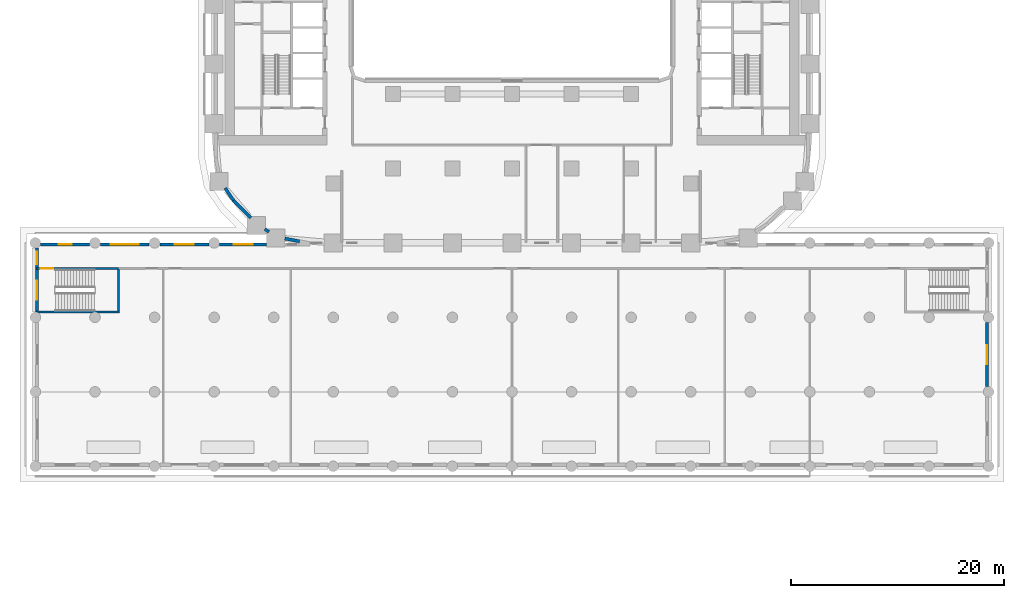
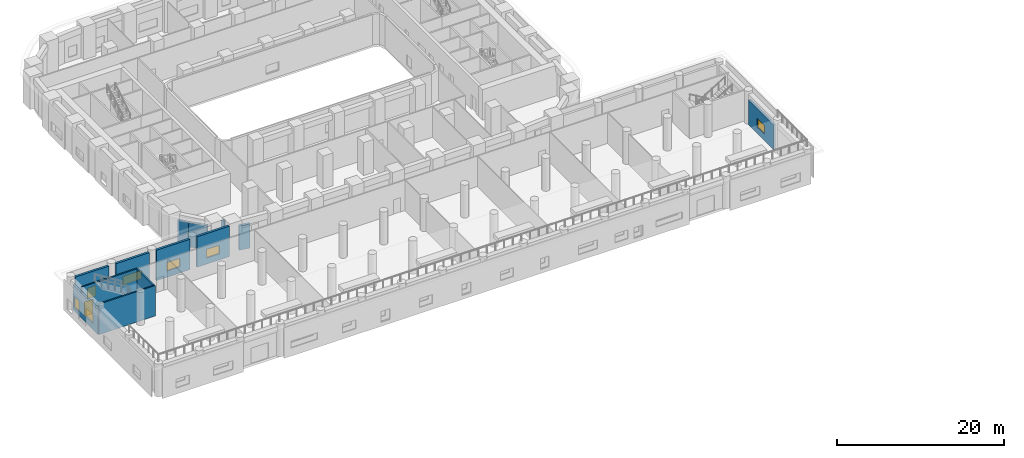
# One storey, part 7 of 23: 13 walls, 7 windows, 1 door, 8 openings.
"""IFC4 building model written with IfcOpenShell, lengths in metres."""

from ifc_helpers import new_model, si_unit, direction, frame, frame_2d, origin, place, context, subcontext, project, spatial, rectangle, extrude, material, layer, layer_set, type_object, element, fill, save


model = new_model("IFC4")

# Units and contexts
model_context = context("Model", 3, precision=1e-05, world=origin(), true_north=direction((0.0, 1.0)))
body_context = subcontext(model_context, "Body", "Model", "MODEL_VIEW")
ifc_project = project(units=[si_unit("LENGTHUNIT", "METRE"), si_unit("AREAUNIT", "SQUARE_METRE"), si_unit("VOLUMEUNIT", "CUBIC_METRE"), si_unit("PLANEANGLEUNIT", "RADIAN"), si_unit("MASSUNIT", "GRAM", prefix="KILO")], contexts=[model_context])

# Site, building, storey
site_placement = place(None, origin())
site = spatial("IfcSite", under=ifc_project, at=site_placement, CompositionType="ELEMENT")
building_placement = place(site_placement, origin())
building = spatial("IfcBuilding", under=site, at=building_placement, Name="Kiln Ring Residences", CompositionType="ELEMENT")
storey_placement = place(building_placement, frame((0.0, 0.0, 16.10009765625)))
storey = spatial("IfcBuildingStorey", under=building, at=storey_placement, Name="L03", CompositionType="ELEMENT", Elevation=16.10009765625)

# Wall, opening, window
ifc_material_1 = material(Name="Brick masonry, dark clay brick", Category="masonry")
ifc_layer_1 = layer(ifc_material_1, 0.300048828125)
ifc_layer_set_1 = layer_set([ifc_layer_1], Name="EW-300 BRICK WALL")
wall_type_1 = type_object("IfcWallType", Name="EW-300 BRICK WALL", PredefinedType="SOLIDWALL", material=ifc_layer_set_1)
wall_1_placement = place(storey_placement, frame((44.64990234375, -35.89990234375, 0.0), z_axis=(0.0, 0.0, 1.0), x_axis=(0.0, 1.0, 0.0)))
wall_1 = element("IfcWall", 1, at=wall_1_placement, inside=storey, type_object=wall_type_1, Name="Facade wall L03 2", PredefinedType="SOLIDWALL", context=body_context, shape_type="SweptSolid", body=[
    extrude(rectangle(XDim=6.0, YDim=0.300048828125, at=frame_2d((3.0, 0.0))), origin(), (0.0, 0.0, 1.0), 3.64990234375),
])
opening_1_placement = place(wall_1_placement, frame((2.10009765625, 0.0, 0.89990234375)))
opening_1 = element("IfcOpeningElement", 2, at=opening_1_placement, cuts=wall_1, Name="Opening W2", PredefinedType="OPENING", context=body_context, shape_type="SweptSolid", body=[
    extrude(rectangle(XDim=1.800048828125, YDim=1.25, at=frame_2d((0.89990234375, 0.625))), frame((0.0, 0.159912109375, 0.0), z_axis=(0.0, -1.0, 0.0), x_axis=(1.0, 0.0, 0.0)), (0.0, 0.0, 1.0), 0.320068359375),
])
ifc_material_2 = material(Name="Aluminium frame with double glazing", Category="aluminium")
window_type_1 = type_object("IfcWindowType", Name="WINDOW 1800 x 1250", PartitioningType="SINGLE_PANEL", PredefinedType="WINDOW", material=ifc_material_2)
window_1_placement = place(opening_1_placement, origin())
window_1 = element("IfcWindow", 3, at=window_1_placement, inside=storey, type_object=window_type_1, Name="Window L03 2", OverallHeight=1.25, OverallWidth=1.800048828125, PartitioningType="SINGLE_PANEL", PredefinedType="WINDOW", context=body_context, shape_type="SweptSolid", body=[
    extrude(rectangle(XDim=1.800048828125, YDim=1.25, at=frame_2d((0.89990234375, 0.625))), frame((0.0, 0.030029296875, 0.0), z_axis=(0.0, -1.0, 0.0), x_axis=(1.0, 0.0, 0.0)), (0.0, 0.0, 1.0), 0.06005859375),
])
fill(opening_1, window_1)

# Walls
wall_2_placement = place(storey_placement, frame((-26.96923828125, -17.249755859375, 0.0), z_axis=(0.0, 0.0, 1.0), x_axis=(0.562010802008, -0.827129892112, 0.0)))
element("IfcWall", 4, at=wall_2_placement, inside=storey, type_object=wall_type_1, Name="Facade wall L03 45", PredefinedType="SOLIDWALL", context=body_context, shape_type="SweptSolid", body=[
    extrude(rectangle(XDim=1.40625, YDim=0.300048828125, at=frame_2d((0.703125, 0.0))), origin(), (0.0, 0.0, 1.0), 3.5498046875),
])
wall_3_placement = place(storey_placement, frame((-26.19677734375, -18.390869140625, 0.0), z_axis=(0.0, 0.0, 1.0), x_axis=(0.707054835785, -0.707158722772, 0.0)))
element("IfcWall", 5, at=wall_3_placement, inside=storey, type_object=wall_type_1, Name="Facade wall L03 46", PredefinedType="SOLIDWALL", context=body_context, shape_type="SweptSolid", body=[
    extrude(rectangle(XDim=2.35009765625, YDim=0.300048828125, at=frame_2d((1.175048828125, 0.0))), origin(), (0.0, 0.0, 1.0), 3.5498046875),
])
wall_4_placement = place(storey_placement, frame((-23.244384765625, -21.10107421875, 0.0), z_axis=(0.0, 0.0, 1.0), x_axis=(0.827135885329, -0.562001981492, 0.0)))
element("IfcWall", 6, at=wall_4_placement, inside=storey, type_object=wall_type_1, Name="Facade wall L03 47", PredefinedType="SOLIDWALL", context=body_context, shape_type="SweptSolid", body=[
    extrude(rectangle(XDim=0.47705078125, YDim=0.300048828125, at=frame_2d((0.238525390625, 0.0))), origin(), (0.0, 0.0, 1.0), 4.449951171875),
])
wall_5_placement = place(storey_placement, frame((-21.35302734375, -21.9892578125, 0.0), z_axis=(0.0, 0.0, 1.0), x_axis=(0.98229142023, -0.187359455971, 0.0)))
element("IfcWall", 7, at=wall_5_placement, inside=storey, type_object=wall_type_1, Name="Facade wall L03 48", PredefinedType="SOLIDWALL", context=body_context, shape_type="SweptSolid", body=[
    extrude(rectangle(XDim=1.406005859375, YDim=0.300048828125, at=frame_2d((0.703125, 0.0))), origin(), (0.0, 0.0, 1.0), 3.5498046875),
])

# Wall, opening, window
wall_6_placement = place(storey_placement, frame((-23.05859375, -22.550048828125, 0.0), z_axis=(0.0, 0.0, 1.0), x_axis=(-1.0, 0.0, 0.0)))
wall_6 = element("IfcWall", 8, at=wall_6_placement, inside=storey, type_object=wall_type_1, Name="Facade wall L03 50", PredefinedType="SOLIDWALL", context=body_context, shape_type="SweptSolid", body=[
    extrude(rectangle(XDim=4.44140625, YDim=0.300048828125, at=frame_2d((2.220703125, 0.0))), origin(), (0.0, 0.0, 1.0), 4.449951171875),
])
opening_2_placement = place(wall_6_placement, frame((1.320556640625, 0.0, 0.89990234375)))
opening_2 = element("IfcOpeningElement", 9, at=opening_2_placement, cuts=wall_6, Name="Opening W2", PredefinedType="OPENING", context=body_context, shape_type="SweptSolid", body=[
    extrude(rectangle(XDim=1.800048828125, YDim=1.25, at=frame_2d((0.89990234375, 0.625))), frame((0.0, 0.159912109375, 0.0), z_axis=(0.0, -1.0, 0.0), x_axis=(1.0, 0.0, 0.0)), (0.0, 0.0, 1.0), 0.320068359375),
])
window_2_placement = place(opening_2_placement, origin())
window_2 = element("IfcWindow", 10, at=window_2_placement, inside=storey, type_object=window_type_1, Name="Window L03 22", OverallHeight=1.25, OverallWidth=1.800048828125, PartitioningType="SINGLE_PANEL", PredefinedType="WINDOW", context=body_context, shape_type="SweptSolid", body=[
    extrude(rectangle(XDim=1.800048828125, YDim=1.25, at=frame_2d((0.89990234375, 0.625))), frame((0.0, 0.030029296875, 0.0), z_axis=(0.0, -1.0, 0.0), x_axis=(1.0, 0.0, 0.0)), (0.0, 0.0, 1.0), 0.06005859375),
])
fill(opening_2, window_2)

wall_7_placement = place(storey_placement, frame((-28.5, -22.550048828125, 0.0), z_axis=(0.0, 0.0, 1.0), x_axis=(-1.0, 0.0, 0.0)))
wall_7 = element("IfcWall", 11, at=wall_7_placement, inside=storey, type_object=wall_type_1, Name="Facade wall L03 51", PredefinedType="SOLIDWALL", context=body_context, shape_type="SweptSolid", body=[
    extrude(rectangle(XDim=4.60009765625, YDim=0.300048828125, at=frame_2d((2.300048828125, 0.0))), origin(), (0.0, 0.0, 1.0), 4.449951171875),
])
opening_3_placement = place(wall_7_placement, frame((1.39990234375, 0.0, 0.89990234375)))
opening_3 = element("IfcOpeningElement", 12, at=opening_3_placement, cuts=wall_7, Name="Opening W2", PredefinedType="OPENING", context=body_context, shape_type="SweptSolid", body=[
    extrude(rectangle(XDim=1.800048828125, YDim=1.25, at=frame_2d((0.89990234375, 0.625))), frame((0.0, 0.159912109375, 0.0), z_axis=(0.0, -1.0, 0.0), x_axis=(1.0, 0.0, 0.0)), (0.0, 0.0, 1.0), 0.320068359375),
])
window_3_placement = place(opening_3_placement, origin())
window_3 = element("IfcWindow", 13, at=window_3_placement, inside=storey, type_object=window_type_1, Name="Window L03 23", OverallHeight=1.25, OverallWidth=1.800048828125, PartitioningType="SINGLE_PANEL", PredefinedType="WINDOW", context=body_context, shape_type="SweptSolid", body=[
    extrude(rectangle(XDim=1.800048828125, YDim=1.25, at=frame_2d((0.89990234375, 0.625))), frame((0.0, 0.030029296875, 0.0), z_axis=(0.0, -1.0, 0.0), x_axis=(1.0, 0.0, 0.0)), (0.0, 0.0, 1.0), 0.06005859375),
])
fill(opening_3, window_3)

wall_8_placement = place(storey_placement, frame((-34.10009765625, -22.550048828125, 0.0), z_axis=(0.0, 0.0, 1.0), x_axis=(-1.0, 0.0, 0.0)))
wall_8 = element("IfcWall", 14, at=wall_8_placement, inside=storey, type_object=wall_type_1, Name="Facade wall L03 52", PredefinedType="SOLIDWALL", context=body_context, shape_type="SweptSolid", body=[
    extrude(rectangle(XDim=4.599853515625, YDim=0.300048828125, at=frame_2d((2.2998046875, 0.0))), origin(), (0.0, 0.0, 1.0), 4.449951171875),
])
opening_4_placement = place(wall_8_placement, frame((1.0, 0.0, 0.89990234375)))
opening_4 = element("IfcOpeningElement", 15, at=opening_4_placement, cuts=wall_8, Name="Opening W3", PredefinedType="OPENING", context=body_context, shape_type="SweptSolid", body=[
    extrude(rectangle(XDim=2.60009765625, YDim=1.25, at=frame_2d((1.300048828125, 0.625))), frame((0.0, 0.159912109375, 0.0), z_axis=(0.0, -1.0, 0.0), x_axis=(1.0, 0.0, 0.0)), (0.0, 0.0, 1.0), 0.320068359375),
])
ifc_material_3 = material(Name="Aluminium frame with double glazing", Category="aluminium")
window_type_2 = type_object("IfcWindowType", Name="WINDOW 2600 x 1250", PartitioningType="SINGLE_PANEL", PredefinedType="WINDOW", material=ifc_material_3)
window_4_placement = place(opening_4_placement, origin())
window_4 = element("IfcWindow", 16, at=window_4_placement, inside=storey, type_object=window_type_2, Name="Window L03 24", OverallHeight=1.25, OverallWidth=2.60009765625, PartitioningType="SINGLE_PANEL", PredefinedType="WINDOW", context=body_context, shape_type="SweptSolid", body=[
    extrude(rectangle(XDim=2.60009765625, YDim=1.25, at=frame_2d((1.300048828125, 0.625))), frame((0.0, 0.030029296875, 0.0), z_axis=(0.0, -1.0, 0.0), x_axis=(1.0, 0.0, 0.0)), (0.0, 0.0, 1.0), 0.06005859375),
])
fill(opening_4, window_4)

wall_9_placement = place(storey_placement, frame((-39.699951171875, -22.550048828125, 0.0), z_axis=(0.0, 0.0, 1.0), x_axis=(-1.0, 0.0, 0.0)))
wall_9 = element("IfcWall", 17, at=wall_9_placement, inside=storey, type_object=wall_type_1, Name="Facade wall L03 53", PredefinedType="SOLIDWALL", context=body_context, shape_type="SweptSolid", body=[
    extrude(rectangle(XDim=4.60009765625, YDim=0.300048828125, at=frame_2d((2.300048828125, 0.0))), origin(), (0.0, 0.0, 1.0), 4.449951171875),
])
opening_5_placement = place(wall_9_placement, frame((1.699951171875, 0.0, 0.60009765625)))
opening_5 = element("IfcOpeningElement", 18, at=opening_5_placement, cuts=wall_9, Name="Opening W1", PredefinedType="OPENING", context=body_context, shape_type="SweptSolid", body=[
    extrude(rectangle(XDim=1.199951171875, YDim=1.550048828125, at=frame_2d((0.60009765625, 0.77490234375))), frame((0.0, 0.159912109375, 0.0), z_axis=(0.0, -1.0, 0.0), x_axis=(1.0, 0.0, 0.0)), (0.0, 0.0, 1.0), 0.320068359375),
])
ifc_material_4 = material(Name="Aluminium frame with double glazing", Category="aluminium")
window_type_3 = type_object("IfcWindowType", Name="WINDOW 1200 x 1550", PartitioningType="SINGLE_PANEL", PredefinedType="WINDOW", material=ifc_material_4)
window_5_placement = place(opening_5_placement, origin())
window_5 = element("IfcWindow", 19, at=window_5_placement, inside=storey, type_object=window_type_3, Name="Window L03 25", OverallHeight=1.550048828125, OverallWidth=1.199951171875, PartitioningType="SINGLE_PANEL", PredefinedType="WINDOW", context=body_context, shape_type="SweptSolid", body=[
    extrude(rectangle(XDim=1.199951171875, YDim=1.550048828125, at=frame_2d((0.60009765625, 0.77490234375))), frame((0.0, 0.030029296875, 0.0), z_axis=(0.0, -1.0, 0.0), x_axis=(1.0, 0.0, 0.0)), (0.0, 0.0, 1.0), 0.06005859375),
])
fill(opening_5, window_5)

# Wall, openings, windows
wall_10_placement = place(storey_placement, frame((-44.64990234375, -22.89990234375, 0.0), z_axis=(0.0, 0.0, 1.0), x_axis=(0.0, -1.0, 0.0)))
wall_10 = element("IfcWall", 20, at=wall_10_placement, inside=storey, type_object=wall_type_1, Name="Facade wall L03 54", PredefinedType="SOLIDWALL", context=body_context, shape_type="SweptSolid", body=[
    extrude(rectangle(XDim=6.0, YDim=0.300048828125, at=frame_2d((3.0, 0.0))), origin(), (0.0, 0.0, 1.0), 3.64990234375),
])
opening_6_placement = place(wall_10_placement, frame((0.3125, 0.0, 0.60009765625)))
opening_6 = element("IfcOpeningElement", 21, at=opening_6_placement, cuts=wall_10, Name="Opening W1", PredefinedType="OPENING", context=body_context, shape_type="SweptSolid", body=[
    extrude(rectangle(XDim=1.199951171875, YDim=1.550048828125, at=frame_2d((0.60009765625, 0.77490234375))), frame((0.0, 0.159912109375, 0.0), z_axis=(0.0, -1.0, 0.0), x_axis=(1.0, 0.0, 0.0)), (0.0, 0.0, 1.0), 0.320068359375),
])
opening_7_placement = place(wall_10_placement, frame((3.050048828125, 0.0, 0.89990234375)))
opening_7 = element("IfcOpeningElement", 22, at=opening_7_placement, cuts=wall_10, Name="Opening W2", PredefinedType="OPENING", context=body_context, shape_type="SweptSolid", body=[
    extrude(rectangle(XDim=1.800048828125, YDim=1.25, at=frame_2d((0.89990234375, 0.625))), frame((0.0, 0.159912109375, 0.0), z_axis=(0.0, -1.0, 0.0), x_axis=(1.0, 0.0, 0.0)), (0.0, 0.0, 1.0), 0.320068359375),
])
window_6_placement = place(opening_6_placement, origin())
window_6 = element("IfcWindow", 23, at=window_6_placement, inside=storey, type_object=window_type_3, Name="Window L03 26", OverallHeight=1.550048828125, OverallWidth=1.199951171875, PartitioningType="SINGLE_PANEL", PredefinedType="WINDOW", context=body_context, shape_type="SweptSolid", body=[
    extrude(rectangle(XDim=1.199951171875, YDim=1.550048828125, at=frame_2d((0.60009765625, 0.77490234375))), frame((0.0, 0.030029296875, 0.0), z_axis=(0.0, -1.0, 0.0), x_axis=(1.0, 0.0, 0.0)), (0.0, 0.0, 1.0), 0.06005859375),
])
fill(opening_6, window_6)
window_7_placement = place(opening_7_placement, origin())
window_7 = element("IfcWindow", 24, at=window_7_placement, inside=storey, type_object=window_type_1, Name="Window L03 27", OverallHeight=1.25, OverallWidth=1.800048828125, PartitioningType="SINGLE_PANEL", PredefinedType="WINDOW", context=body_context, shape_type="SweptSolid", body=[
    extrude(rectangle(XDim=1.800048828125, YDim=1.25, at=frame_2d((0.89990234375, 0.625))), frame((0.0, 0.030029296875, 0.0), z_axis=(0.0, -1.0, 0.0), x_axis=(1.0, 0.0, 0.0)), (0.0, 0.0, 1.0), 0.06005859375),
])
fill(opening_7, window_7)

# Wall
ifc_material_5 = material(Name="Concrete C40/50", Category="concrete")
ifc_layer_2 = layer(ifc_material_5, 0.199951171875)
ifc_layer_set_2 = layer_set([ifc_layer_2], Name="PODIUM-STAIR-WALL-200")
wall_type_2 = type_object("IfcWallType", Name="PODIUM-STAIR-WALL-200", PredefinedType="SHEAR", material=ifc_layer_set_2)
wall_11_placement = place(storey_placement, frame((-44.7099609375, -28.89990234375, 0.0), z_axis=(0.0, 0.0, 1.0), x_axis=(1.0, 0.0, 0.0)))
element("IfcWall", 25, at=wall_11_placement, inside=storey, type_object=wall_type_2, Name="Stair wall 000", PredefinedType="SHEAR", context=body_context, shape_type="SweptSolid", body=[
    extrude(rectangle(XDim=7.81005859375, YDim=0.199951171875, at=frame_2d((3.905029296875, 0.0))), origin(), (0.0, 0.0, 1.0), 4.449951171875),
])

# Wall, opening, door
wall_12_placement = place(storey_placement, frame((-44.7099609375, -24.800048828125, 0.0), z_axis=(0.0, 0.0, 1.0), x_axis=(1.0, 0.0, 0.0)))
wall_12 = element("IfcWall", 26, at=wall_12_placement, inside=storey, type_object=wall_type_2, Name="Stair wall 003", PredefinedType="SHEAR", context=body_context, shape_type="SweptSolid", body=[
    extrude(rectangle(XDim=7.7099609375, YDim=0.199951171875, at=frame_2d((3.85498046875, 0.0))), origin(), (0.0, 0.0, 1.0), 4.449951171875),
])
opening_8_placement = place(wall_12_placement, frame((0.39990234375, 0.0, 0.0)))
opening_8 = element("IfcOpeningElement", 27, at=opening_8_placement, cuts=wall_12, Name="Opening L03-D006", PredefinedType="OPENING", context=body_context, shape_type="SweptSolid", body=[
    extrude(rectangle(XDim=1.199951171875, YDim=2.10009765625, at=frame_2d((0.60009765625, 1.050048828125))), frame((0.0, 0.10986328125, 0.0), z_axis=(0.0, -1.0, 0.0), x_axis=(1.0, 0.0, 0.0)), (0.0, 0.0, 1.0), 0.219970703125),
])
ifc_material_6 = material(Name="Steel faced fire door leaf", Category="steel")
door_type = type_object("IfcDoorType", Name="FLAT-DOOR-1200-FR", OperationType="SINGLE_SWING_LEFT", PredefinedType="DOOR", material=ifc_material_6)
door_placement = place(opening_8_placement, origin())
door = element("IfcDoor", 28, at=door_placement, inside=storey, type_object=door_type, Name="Door L03-D006", OperationType="SINGLE_SWING_LEFT", OverallHeight=2.10009765625, OverallWidth=1.199951171875, PredefinedType="DOOR", context=body_context, shape_type="SweptSolid", body=[
    extrude(rectangle(XDim=1.199951171875, YDim=2.10009765625, at=frame_2d((0.60009765625, 1.050048828125))), frame((0.0, 0.02490234375, 0.0), z_axis=(0.0, -1.0, 0.0), x_axis=(1.0, 0.0, 0.0)), (0.0, 0.0, 1.0), 0.050048828125),
])
fill(opening_8, door)

# Wall
wall_13_placement = place(storey_placement, frame((-37.0, -28.800048828125, 0.0), z_axis=(0.0, 0.0, 1.0), x_axis=(0.0, 1.0, 0.0)))
element("IfcWall", 29, at=wall_13_placement, inside=storey, type_object=wall_type_2, Name="Stair wall 009", PredefinedType="SHEAR", context=body_context, shape_type="SweptSolid", body=[
    extrude(rectangle(XDim=3.925048828125, YDim=0.199951171875, at=frame_2d((1.96240234375, 0.0))), origin(), (0.0, 0.0, 1.0), 4.449951171875),
])

save(model, "model.ifc")
